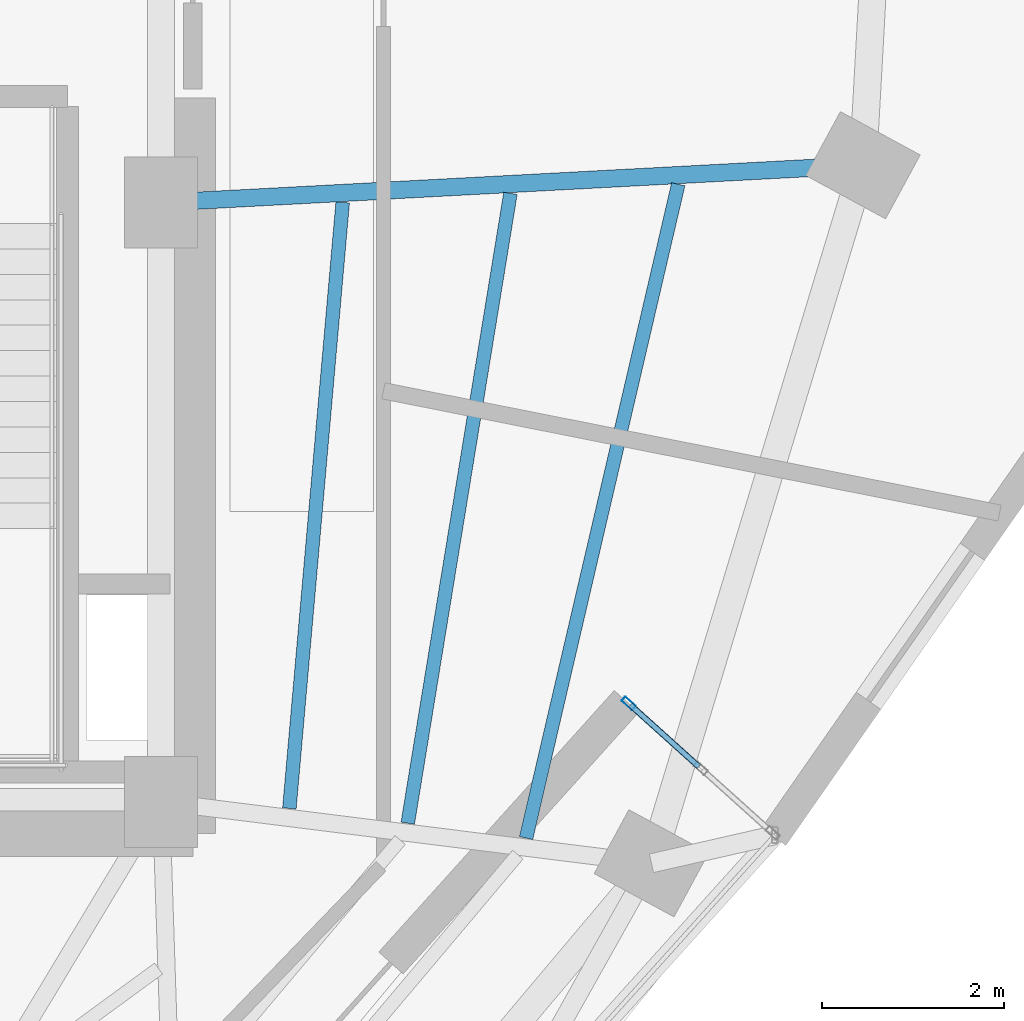
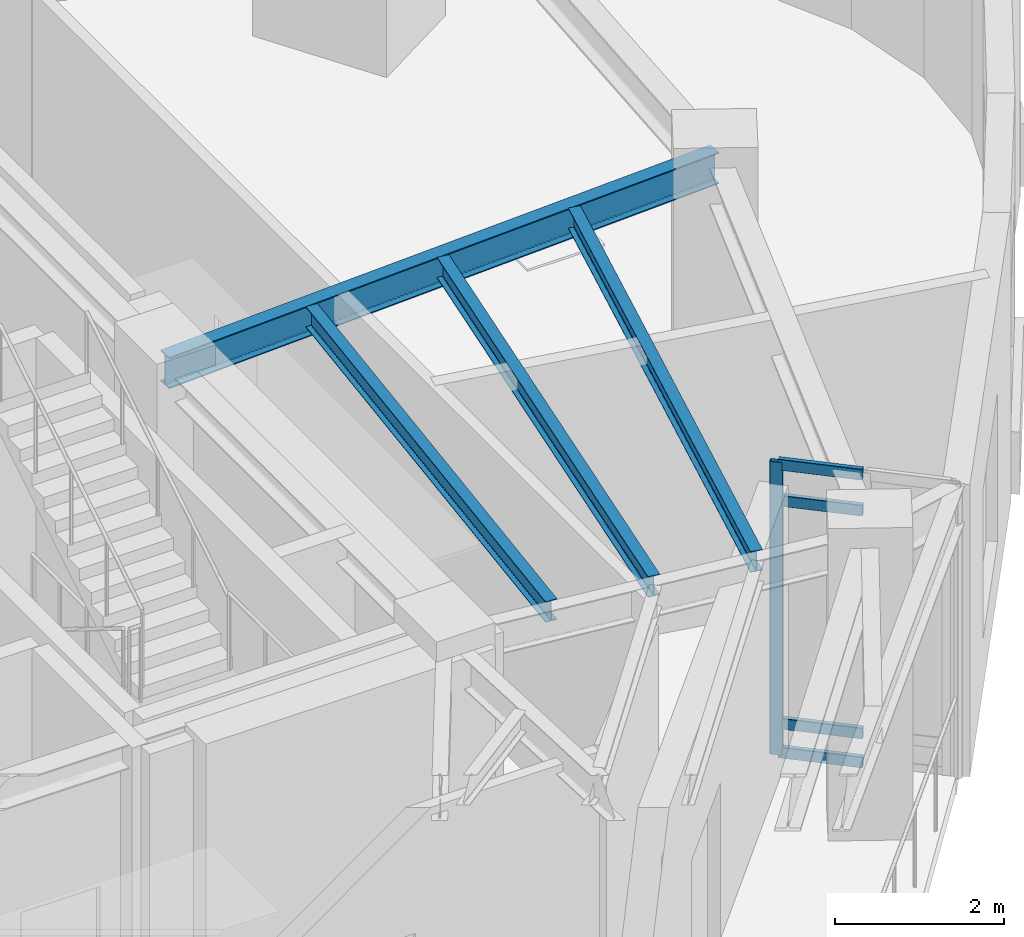
# One storey, part 8 of 18: 5 members, 4 beams, 1 element without a shape of its own.
"""IFC4 building model written with IfcOpenShell, lengths in metres."""

import ifcopenshell
import ifcopenshell.guid

model = None  # the IFC model being written
_history = None  # IfcOwnerHistory: only IFC2X3 demands one
_inside = {}  # id of a spatial element -> (the spatial element, [elements in it])
_under = {}  # id of a project, library or spatial element -> (it, [spatial elements below it])
_declared = {}  # id of a project -> (the project, [libraries it declares])
_typed = {}  # id of a type object -> (the type object, [elements of that type])
_made_of = {}  # id of a material, layer set ... -> (it, [elements and type objects made of it])


def new_model(schema):
    """Start an empty IFC model of exactly this schema.

    Asked for "IFC4X3", IfcOpenShell would pick the latest addendum, in which some entities
    have other attributes; the version numbers below select the first issue.
    IFC2X3 requires an IfcOwnerHistory on every rooted entity: one is made here for all.
    """
    global model, _history
    if schema == "IFC4X3":
        model = ifcopenshell.file(schema_version=(4, 3, 0, 0))
    else:
        model = ifcopenshell.file(schema=schema)
    _inside.clear()
    _under.clear()
    _declared.clear()
    _typed.clear()
    _made_of.clear()
    _history = None
    if model.schema == "IFC2X3":
        org = make("IfcOrganization", Name="unknown")
        user = make(
            "IfcPersonAndOrganization",
            ThePerson=make("IfcPerson", FamilyName="unknown"),
            TheOrganization=org,
        )
        app = make(
            "IfcApplication",
            ApplicationDeveloper=org,
            Version="unknown",
            ApplicationFullName="unknown",
            ApplicationIdentifier="unknown",
        )
        _history = make(
            "IfcOwnerHistory",
            OwningUser=user,
            OwningApplication=app,
            ChangeAction="ADDED",
            CreationDate=0,
        )
    return model


def make(cls, **values):
    """One entity of the class cls with the attributes given. An attribute that is None is left unset."""
    return model.create_entity(
        cls, **{name: value for name, value in values.items() if value is not None}
    )


def rooted(cls, **values):
    """An entity with a GlobalId (a new one), such as an element, a storey or a relation."""
    return make(cls, GlobalId=ifcopenshell.guid.new(), OwnerHistory=_history, **values)


def si_unit(unit_type, name, prefix=None):
    """IfcSIUnit, for example si_unit("LENGTHUNIT", "METRE", prefix="MILLI")."""
    return make("IfcSIUnit", UnitType=unit_type, Prefix=prefix, Name=name)


def assignment(units):
    """IfcUnitAssignment: the units of a project."""
    return None if units is None else make("IfcUnitAssignment", Units=units)


def point(xyz):
    """IfcCartesianPoint."""
    return None if xyz is None else make("IfcCartesianPoint", Coordinates=xyz)


def direction(xyz):
    """IfcDirection."""
    return None if xyz is None else make("IfcDirection", DirectionRatios=xyz)


def frame(location, z_axis=None, x_axis=None):
    """IfcAxis2Placement3D, a coordinate frame: its origin and axes. An axis left out is left unset."""
    return make(
        "IfcAxis2Placement3D",
        Location=point(location),
        Axis=direction(z_axis),
        RefDirection=direction(x_axis),
    )


def frame_2d(location, x_axis=None):
    """IfcAxis2Placement2D, a coordinate frame in the plane: its origin and x axis."""
    return make(
        "IfcAxis2Placement2D", Location=point(location), RefDirection=direction(x_axis)
    )


def origin():
    """The frame at (0, 0, 0) with its axes left unset."""
    return frame((0.0, 0.0, 0.0))


def origin_2d():
    """The frame at (0, 0) in the plane with its x axis left unset."""
    return frame_2d((0.0, 0.0))


def place(relative_to, where):
    """IfcLocalPlacement: puts the frame where relative to a parent placement (None: the world)."""
    return make(
        "IfcLocalPlacement", PlacementRelTo=relative_to, RelativePlacement=where
    )


def context(
    kind, dimensions, precision=None, world=None, true_north=None, identifier=None
):
    """IfcGeometricRepresentationContext, for example the 3D "Model" context."""
    return make(
        "IfcGeometricRepresentationContext",
        ContextIdentifier=identifier,
        ContextType=kind,
        CoordinateSpaceDimension=dimensions,
        Precision=precision,
        WorldCoordinateSystem=world,
        TrueNorth=true_north,
    )


def subcontext(parent, identifier, kind, view, scale=None):
    """IfcGeometricRepresentationSubContext, for example "Body" below "Model"."""
    return make(
        "IfcGeometricRepresentationSubContext",
        ContextIdentifier=identifier,
        ContextType=kind,
        ParentContext=parent,
        TargetScale=scale,
        TargetView=view,
    )


def project(units=None, contexts=None):
    """IfcProject with its units and contexts."""
    return rooted(
        "IfcProject",
        Name="project",
        RepresentationContexts=contexts,
        UnitsInContext=assignment(units),
    )


def spatial(cls, under=None, at=None, **own):
    """A site, building, storey or space (cls), placed at a placement, below another one or the project."""
    s = rooted(cls, ObjectPlacement=at, **own)
    if under is not None:
        _under.setdefault(under.id(), (under, []))[1].append(s)
    return s


def profile(cls, at=None, kind="AREA", **sizes):
    """A parametric profile (cls). Its sizes go by their IFC names, for example OverallWidth=200.0."""
    return make(cls, ProfileType=kind, Position=at, **sizes)


def hollow_rectangle(**sizes):
    """IfcRectangleHollowProfileDef."""
    return profile("IfcRectangleHollowProfileDef", **sizes)


def i_section(**sizes):
    """IfcIShapeProfileDef."""
    return profile("IfcIShapeProfileDef", **sizes)


def extrude(swept, where, along, depth):
    """IfcExtrudedAreaSolid: the profile swept, set in the frame where, extruded along a direction by depth."""
    return make(
        "IfcExtrudedAreaSolid",
        SweptArea=swept,
        Position=where,
        ExtrudedDirection=direction(along),
        Depth=depth,
    )


def shape(context_of_items, identifier, shape_type, items):
    """IfcShapeRepresentation: the items that make up one representation, for example the "Body"."""
    return make(
        "IfcShapeRepresentation",
        ContextOfItems=context_of_items,
        RepresentationIdentifier=identifier,
        RepresentationType=shape_type,
        Items=items,
    )


def material(Name=None, Category=None):
    """IfcMaterial."""
    return make("IfcMaterial", Name=Name, Category=Category)


def layer(
    of_material, thickness, ventilated=None, Name=None, Category=None, Priority=None
):
    """IfcMaterialLayer: one layer of a wall or slab, of a material (None: an air gap)."""
    return make(
        "IfcMaterialLayer",
        Material=of_material,
        LayerThickness=thickness,
        IsVentilated=ventilated,
        Name=Name,
        Category=Category,
        Priority=Priority,
    )


def layer_set(layers, Name=None):
    """IfcMaterialLayerSet."""
    return make("IfcMaterialLayerSet", MaterialLayers=layers, LayerSetName=Name)


def material_profile(
    of_material, cross_section, Name=None, Category=None, Priority=None
):
    """IfcMaterialProfile: a cross section and its material."""
    return make(
        "IfcMaterialProfile",
        Name=Name,
        Material=of_material,
        Profile=cross_section,
        Priority=Priority,
        Category=Category,
    )


def profile_set(profiles, Name=None, composite=None):
    """IfcMaterialProfileSet."""
    return make(
        "IfcMaterialProfileSet",
        Name=Name,
        MaterialProfiles=profiles,
        CompositeProfile=composite,
    )


def made_of(thing, what):
    """Note that an element or type object is made of a material, layer set ...; save() writes the relation."""
    if what is not None:
        _made_of.setdefault(what.id(), (what, []))[1].append(thing)
    return thing


def type_object(cls, material=None, **own):
    """A type object (cls), such as IfcWallType, which elements share."""
    return made_of(rooted(cls, **own), material)


def element(
    cls,
    number,
    at=None,
    inside=None,
    cuts=None,
    type_object=None,
    material=None,
    context=None,
    identifier="Body",
    shape_type=None,
    held_by="IfcProductDefinitionShape",
    body=None,
    shapes=None,
    **own,
):
    """One element of the class cls, such as IfcWall. Its Tag is "e" and its number.

    at: its placement. inside: the storey or other place that contains it. cuts: it is an
    opening in that element (IfcRelVoidsElement). A single representation is given by context,
    identifier, shape_type and body (its items); several are given by shapes. held_by: the class
    of the entity that holds the representations. save() writes the other relations.
    """
    e = rooted(cls, Tag="e%d" % number, ObjectPlacement=at, **own)
    if body is not None:
        shapes = [shape(context, identifier, shape_type, body)]
    if shapes is not None:
        e.Representation = make(held_by, Representations=shapes)
    if inside is not None:
        _inside.setdefault(inside.id(), (inside, []))[1].append(e)
    if cuts is not None:
        rooted(
            "IfcRelVoidsElement", RelatingBuildingElement=cuts, RelatedOpeningElement=e
        )
    if type_object is not None:
        _typed.setdefault(type_object.id(), (type_object, []))[1].append(e)
    return made_of(e, material)


def aggregate(whole, parts):
    """IfcRelAggregates: a whole, such as a stair, and the parts it consists of."""
    return rooted("IfcRelAggregates", RelatingObject=whole, RelatedObjects=parts)


def save(model, path):
    """Write the relations noted so far, then the file.

    IfcRelAggregates (storeys below a building ...), IfcRelContainedInSpatialStructure (elements
    in a storey), IfcRelDefinesByType, IfcRelAssociatesMaterial and IfcRelDeclares: one each for
    every whole, place, type object, material and project.
    """
    for whole, parts in _under.values():
        aggregate(whole, parts)
    for where, things in _inside.values():
        rooted(
            "IfcRelContainedInSpatialStructure",
            RelatedElements=things,
            RelatingStructure=where,
        )
    for kind, things in _typed.values():
        rooted("IfcRelDefinesByType", RelatedObjects=things, RelatingType=kind)
    for what, things in _made_of.values():
        rooted("IfcRelAssociatesMaterial", RelatedObjects=things, RelatingMaterial=what)
    for by, libraries in _declared.values():
        rooted("IfcRelDeclares", RelatingContext=by, RelatedDefinitions=libraries)
    model.write(path)


model = new_model("IFC4")

# Units and contexts
model_context = context("Model", 3, precision=1e-05, world=origin(), true_north=direction((0.0, 1.0)))
body_context = subcontext(model_context, "Body", "Model", "MODEL_VIEW")
ifc_project = project(units=[si_unit("LENGTHUNIT", "METRE"), si_unit("AREAUNIT", "SQUARE_METRE"), si_unit("VOLUMEUNIT", "CUBIC_METRE"), si_unit("PLANEANGLEUNIT", "RADIAN"), si_unit("MASSUNIT", "GRAM", prefix="KILO")], contexts=[model_context])

# Site, building, storey
site_placement = place(None, origin())
site = spatial("IfcSite", under=ifc_project, at=site_placement, CompositionType="ELEMENT")
building_placement = place(site_placement, origin())
building = spatial("IfcBuilding", under=site, at=building_placement, Name="Ndelora Gate Hotel", CompositionType="ELEMENT")
storey_placement = place(building_placement, frame((0.0, 0.0, 173.75)))
storey = spatial("IfcBuildingStorey", under=building, at=storey_placement, Name="L43", CompositionType="ELEMENT", Elevation=173.75)

# Beams
ifc_material_1 = material(Name="Steel S355", Category="steel")
ifc_material_profile_1 = material_profile(ifc_material_1, i_section(OverallWidth=0.14990234375, OverallDepth=0.300048828125, WebThickness=0.007080078125, FlangeThickness=0.0107421875, FilletRadius=0.014892578125, at=origin_2d()), Name="IPE 300")
ifc_profile_set_1 = profile_set([ifc_material_profile_1], Name="Steel S355")
beam_type_1 = type_object("IfcBeamType", Name="BM-JST-300", PredefinedType="JOIST", material=ifc_profile_set_1)
beam_1_placement = place(storey_placement, frame((9.413330078125, -6.671142578125, 4.06005859375), z_axis=(0.087643872384, 0.996151871771, 0.0), x_axis=(-0.996151871771, 0.087643872384, 0.0)))
element("IfcBeam", 1, at=beam_1_placement, inside=storey, type_object=beam_type_1, Name="L43 Secondary Composite Floor Joist IN-7", PredefinedType="JOIST", context=body_context, shape_type="SweptSolid", body=[
    extrude(i_section(OverallWidth=0.14990234375, OverallDepth=0.300048828125, WebThickness=0.007080078125, FlangeThickness=0.0107421875, FilletRadius=0.014892578125, at=origin_2d()), origin(), (0.0, 0.0, 1.0), 6.699462890625),
])
beam_2_placement = place(storey_placement, frame((10.717041015625, -6.834228515625, 4.06005859375), z_axis=(0.160939239626, 0.986964316046, 0.0), x_axis=(-0.986964316046, 0.160939239626, 0.0)))
element("IfcBeam", 2, at=beam_2_placement, inside=storey, type_object=beam_type_1, Name="L43 Secondary Composite Floor Joist MID-7", PredefinedType="JOIST", context=body_context, shape_type="SweptSolid", body=[
    extrude(i_section(OverallWidth=0.14990234375, OverallDepth=0.300048828125, WebThickness=0.007080078125, FlangeThickness=0.0107421875, FilletRadius=0.014892578125, at=origin_2d()), origin(), (0.0, 0.0, 1.0), 7.028076171875),
])
beam_3_placement = place(storey_placement, frame((12.02001953125, -6.997802734375, 4.06005859375), z_axis=(0.22674518397, 0.973954116756, 0.0), x_axis=(-0.973954116756, 0.22674518397, 0.0)))
element("IfcBeam", 3, at=beam_3_placement, inside=storey, type_object=beam_type_1, Name="L43 Secondary Composite Floor Joist OUT-7", PredefinedType="JOIST", context=body_context, shape_type="SweptSolid", body=[
    extrude(i_section(OverallWidth=0.14990234375, OverallDepth=0.300048828125, WebThickness=0.007080078125, FlangeThickness=0.0107421875, FilletRadius=0.014892578125, at=origin_2d()), origin(), (0.0, 0.0, 1.0), 7.392822265625),
])
ifc_material_profile_2 = material_profile(ifc_material_1, i_section(OverallWidth=0.18994140625, OverallDepth=0.449951171875, WebThickness=0.009521484375, FlangeThickness=0.0146484375, FilletRadius=0.02099609375, at=origin_2d()), Name="IPE 450")
ifc_profile_set_2 = profile_set([ifc_material_profile_2], Name="Steel S355")
beam_type_2 = type_object("IfcBeamType", Name="BM-RAD-450", PredefinedType="BEAM", material=ifc_profile_set_2)
beam_4_placement = place(storey_placement, frame((8.0, 0.0, 3.985107421875), z_axis=(0.998583554121, 0.053206065814, 0.0), x_axis=(-0.053206065814, 0.998583554121, 0.0)))
element("IfcBeam", 4, at=beam_4_placement, inside=storey, type_object=beam_type_2, Name="L43 Radial Floor Girder 8", PredefinedType="BEAM", context=body_context, shape_type="SweptSolid", body=[
    extrude(i_section(OverallWidth=0.18994140625, OverallDepth=0.449951171875, WebThickness=0.009521484375, FlangeThickness=0.0146484375, FilletRadius=0.02099609375, at=origin_2d()), origin(), (0.0, 0.0, 1.0), 7.740966796875),
])

# Curtain wall, members
ifc_material_2 = material(Name="Bronze Anodised Unitised Aluminium and Low-E Glass", Category="aluminium")
ifc_layer = layer(ifc_material_2, 0.199951171875)
ifc_layer_set = layer_set([ifc_layer], Name="Bronze Anodised Unitised Aluminium and Low-E Glass")
curtain_wall_type = type_object("IfcCurtainWallType", Name="CW-SYS-3", PredefinedType="NOTDEFINED", material=ifc_layer_set)
curtain_wall_placement = place(storey_placement, origin())
curtain_wall = element("IfcCurtainWall", 5, at=curtain_wall_placement, inside=storey, type_object=curtain_wall_type, Name="L43 Sky-Garden Loggia Side Curtain Wall CW3-2", PredefinedType="NOTDEFINED")
ifc_material_3 = material(Name="Bronze Anodised Aluminium 6063-T6", Category="aluminium")
ifc_material_profile_3 = material_profile(ifc_material_3, hollow_rectangle(XDim=0.06494140625, YDim=0.159912109375, WallThickness=0.00390625, InnerFilletRadius=0.00390625, OuterFilletRadius=0.008056640625, at=origin_2d()), Name="ALU 160x65x4")
ifc_profile_set_3 = profile_set([ifc_material_profile_3], Name="Bronze Anodised Aluminium 6063-T6")
member_type_1 = type_object("IfcMemberType", Name="MB-CW-MUL150", PredefinedType="MULLION", material=ifc_profile_set_3)
member_1_placement = place(storey_placement, frame((13.1494140625, -5.515380859375, -0.00390625), z_axis=(0.0, 0.0, 1.0), x_axis=(-0.669137993626, -0.743138173886, 0.0)))
member_1 = element("IfcMember", 6, at=member_1_placement, type_object=member_type_1, Name="CW3 mullion 3", PredefinedType="MULLION", context=body_context, shape_type="SweptSolid", body=[
    extrude(hollow_rectangle(XDim=0.06494140625, YDim=0.159912109375, WallThickness=0.00390625, InnerFilletRadius=0.00390625, OuterFilletRadius=0.008056640625, at=origin_2d()), origin(), (0.0, 0.0, 1.0), 4.218017578125),
])
ifc_material_profile_4 = material_profile(ifc_material_3, hollow_rectangle(XDim=0.06494140625, YDim=0.159912109375, WallThickness=0.00390625, InnerFilletRadius=0.00390625, OuterFilletRadius=0.008056640625, at=origin_2d()), Name="ALU 160x65x4")
ifc_profile_set_4 = profile_set([ifc_material_profile_4], Name="Bronze Anodised Aluminium 6063-T6")
member_type_2 = type_object("IfcMemberType", Name="MB-CW-TRN150", PredefinedType="USERDEFINED", material=ifc_profile_set_4)
member_2_placement = place(storey_placement, frame((13.923095703125, -6.2119140625, 0.032470703125), z_axis=(-0.743078733375, 0.669204001786, 0.0), x_axis=(-0.669204001786, -0.743078733375, 0.0)))
member_2 = element("IfcMember", 7, at=member_2_placement, type_object=member_type_2, Name="CW3 transom 2.1", ObjectType="TRANSOM", PredefinedType="USERDEFINED", context=body_context, shape_type="SweptSolid", body=[
    extrude(hollow_rectangle(XDim=0.06494140625, YDim=0.159912109375, WallThickness=0.00390625, InnerFilletRadius=0.00390625, OuterFilletRadius=0.008056640625, at=origin_2d()), origin(), (0.0, 0.0, 1.0), 1.0146484375),
])
member_3_placement = place(storey_placement, frame((13.923095703125, -6.2119140625, 0.449951171875), z_axis=(-0.743078733375, 0.669204001786, 0.0), x_axis=(-0.669204001786, -0.743078733375, 0.0)))
member_3 = element("IfcMember", 8, at=member_3_placement, type_object=member_type_2, Name="CW3 transom 2.2", ObjectType="TRANSOM", PredefinedType="USERDEFINED", context=body_context, shape_type="SweptSolid", body=[
    extrude(hollow_rectangle(XDim=0.06494140625, YDim=0.159912109375, WallThickness=0.00390625, InnerFilletRadius=0.00390625, OuterFilletRadius=0.008056640625, at=origin_2d()), origin(), (0.0, 0.0, 1.0), 1.0146484375),
])
member_4_placement = place(storey_placement, frame((13.923095703125, -6.2119140625, 3.659912109375), z_axis=(-0.743078733375, 0.669204001786, 0.0), x_axis=(-0.669204001786, -0.743078733375, 0.0)))
member_4 = element("IfcMember", 9, at=member_4_placement, type_object=member_type_2, Name="CW3 transom 2.3", ObjectType="TRANSOM", PredefinedType="USERDEFINED", context=body_context, shape_type="SweptSolid", body=[
    extrude(hollow_rectangle(XDim=0.06494140625, YDim=0.159912109375, WallThickness=0.00390625, InnerFilletRadius=0.00390625, OuterFilletRadius=0.008056640625, at=origin_2d()), origin(), (0.0, 0.0, 1.0), 1.0146484375),
])
member_5_placement = place(storey_placement, frame((13.923095703125, -6.2119140625, 4.177490234375), z_axis=(-0.743078733375, 0.669204001786, 0.0), x_axis=(-0.669204001786, -0.743078733375, 0.0)))
member_5 = element("IfcMember", 10, at=member_5_placement, type_object=member_type_2, Name="CW3 transom 2.4", ObjectType="TRANSOM", PredefinedType="USERDEFINED", context=body_context, shape_type="SweptSolid", body=[
    extrude(hollow_rectangle(XDim=0.06494140625, YDim=0.159912109375, WallThickness=0.00390625, InnerFilletRadius=0.00390625, OuterFilletRadius=0.008056640625, at=origin_2d()), origin(), (0.0, 0.0, 1.0), 1.0146484375),
])
aggregate(curtain_wall, [member_1, member_2, member_3, member_4, member_5])

save(model, "model.ifc")
